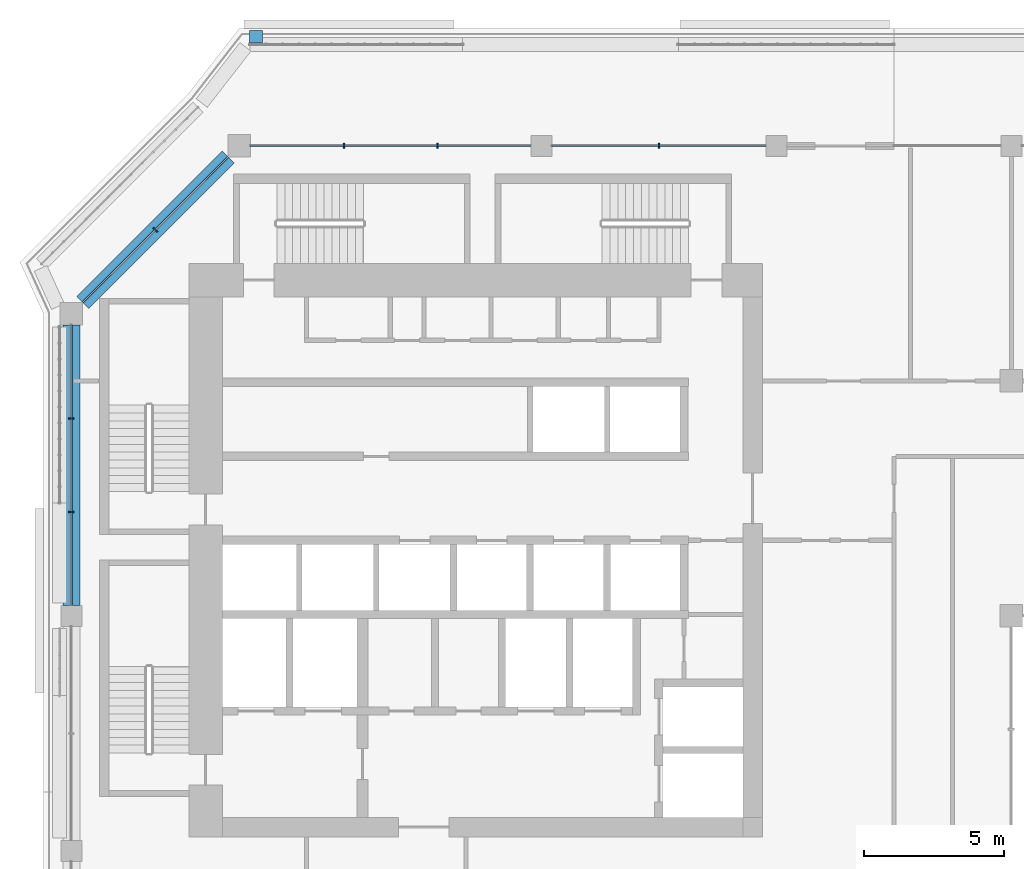
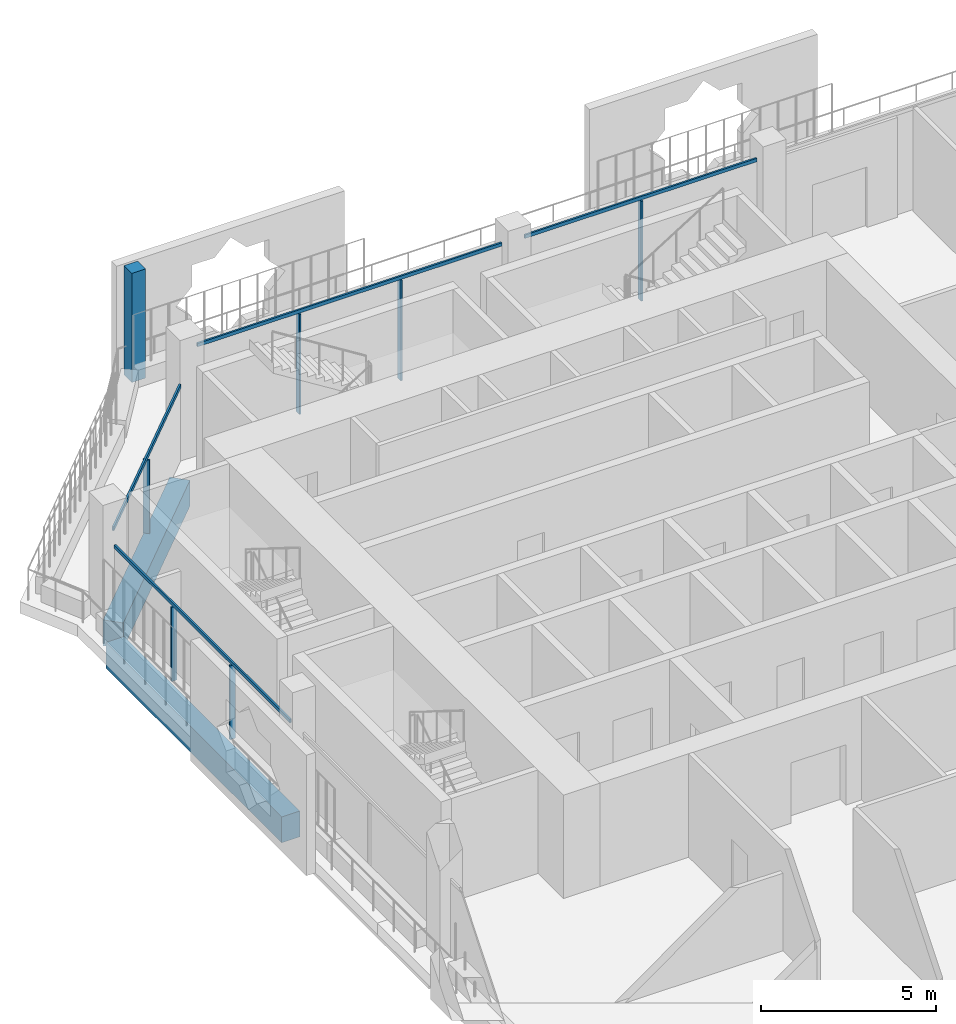
# One storey, part 6 of 23: 11 members, 2 beams, 4 elements without a shape of their own.
"""IFC4 building model written with IfcOpenShell, lengths in metres."""

from ifc_helpers import new_model, si_unit, direction, frame, origin, origin_2d, place, context, subcontext, project, spatial, rectangle, extrude, material, layer, layer_set, material_profile, profile_set, type_object, element, aggregate, save


model = new_model("IFC4")

# Units and contexts
model_context = context("Model", 3, precision=1e-05, world=origin(), true_north=direction((0.0, 1.0)))
body_context = subcontext(model_context, "Body", "Model", "MODEL_VIEW")
ifc_project = project(units=[si_unit("LENGTHUNIT", "METRE"), si_unit("AREAUNIT", "SQUARE_METRE"), si_unit("VOLUMEUNIT", "CUBIC_METRE"), si_unit("PLANEANGLEUNIT", "RADIAN"), si_unit("MASSUNIT", "GRAM", prefix="KILO")], contexts=[model_context])

# Site, building, storey
site_placement = place(None, origin())
site = spatial("IfcSite", under=ifc_project, at=site_placement, CompositionType="ELEMENT")
building_placement = place(site_placement, origin())
building = spatial("IfcBuilding", under=site, at=building_placement, Name="Kawkab Arch Medical Tower", CompositionType="ELEMENT")
storey_placement = place(building_placement, frame((0.0, 0.0, 281.800048828125)))
storey = spatial("IfcBuildingStorey", under=building, at=storey_placement, Name="L65", CompositionType="ELEMENT", Elevation=281.800048828125)

# Curtain wall, members
ifc_material_1 = material(Name="Bronze anodised aluminium curtain wall frame", Category="aluminium")
ifc_layer_1 = layer(ifc_material_1, 0.159912109375)
ifc_layer_set_1 = layer_set([ifc_layer_1], Name="Bronze anodised aluminium curtain wall frame")
curtain_wall_type_1 = type_object("IfcCurtainWallType", Name="CW1 ward curtain wall", PredefinedType="NOTDEFINED", material=ifc_layer_set_1)
placement = place(storey_placement, origin())
curtain_wall_1 = element("IfcCurtainWall", 1, at=placement, inside=storey, type_object=curtain_wall_type_1, Name="CW1 Ward curtain wall R10", PredefinedType="NOTDEFINED")
ifc_material_2 = material(Name="Bronze anodised aluminium curtain wall frame", Category="aluminium")
ifc_material_profile_1 = material_profile(ifc_material_2, rectangle(XDim=0.179931640625, YDim=0.06005859375, at=origin_2d()), Name="AL 60x180")
ifc_profile_set_1 = profile_set([ifc_material_profile_1], Name="Bronze anodised aluminium curtain wall frame")
member_type_1 = type_object("IfcMemberType", Name="CW1 mullion 60 x 180", PredefinedType="MULLION", material=ifc_profile_set_1)
member_1_placement = place(storey_placement, frame((21.0, 0.0, 0.0), z_axis=(0.0, 0.0, 1.0), x_axis=(0.0, -1.0, 0.0)))
member_1 = element("IfcMember", 2, at=member_1_placement, type_object=member_type_1, Name="CW1 mullion 4.1", PredefinedType="MULLION", context=body_context, shape_type="SweptSolid", body=[
    extrude(rectangle(XDim=0.179931640625, YDim=0.06005859375, at=origin_2d()), origin(), (0.0, 0.0, 1.0), 3.47998046875),
])
member_2_placement = place(storey_placement, frame((13.083251953125, 0.0, 0.0), z_axis=(0.0, 0.0, 1.0), x_axis=(0.0, -1.0, 0.0)))
member_2 = element("IfcMember", 3, at=member_2_placement, type_object=member_type_1, Name="CW1 mullion 5.1", PredefinedType="MULLION", context=body_context, shape_type="SweptSolid", body=[
    extrude(rectangle(XDim=0.179931640625, YDim=0.06005859375, at=origin_2d()), origin(), (0.0, 0.0, 1.0), 3.47998046875),
])
member_3_placement = place(storey_placement, frame((9.74169921875, 0.0, 0.0), z_axis=(0.0, 0.0, 1.0), x_axis=(0.0, -1.0, 0.0)))
member_3 = element("IfcMember", 4, at=member_3_placement, type_object=member_type_1, Name="CW1 mullion 5.2", PredefinedType="MULLION", context=body_context, shape_type="SweptSolid", body=[
    extrude(rectangle(XDim=0.179931640625, YDim=0.06005859375, at=origin_2d()), origin(), (0.0, 0.0, 1.0), 3.47998046875),
])

curtain_wall_2 = element("IfcCurtainWall", 5, at=placement, inside=storey, type_object=curtain_wall_type_1, Name="CW1 Ward curtain wall R12", PredefinedType="NOTDEFINED")
member_4_placement = place(storey_placement, frame((0.0, -9.74169921875, 0.0), z_axis=(0.0, 0.0, 1.0), x_axis=(1.0, 0.0, 0.0)))
member_4 = element("IfcMember", 6, at=member_4_placement, type_object=member_type_1, Name="CW1 mullion 1.1", PredefinedType="MULLION", context=body_context, shape_type="SweptSolid", body=[
    extrude(rectangle(XDim=0.179931640625, YDim=0.06005859375, at=origin_2d()), origin(), (0.0, 0.0, 1.0), 2.579833984375),
])
member_5_placement = place(storey_placement, frame((0.0, -13.083251953125, 0.0), z_axis=(0.0, 0.0, 1.0), x_axis=(1.0, 0.0, 0.0)))
member_5 = element("IfcMember", 7, at=member_5_placement, type_object=member_type_1, Name="CW1 mullion 1.2", PredefinedType="MULLION", context=body_context, shape_type="SweptSolid", body=[
    extrude(rectangle(XDim=0.179931640625, YDim=0.06005859375, at=origin_2d()), origin(), (0.0, 0.0, 1.0), 2.579833984375),
])

# Member
ifc_material_3 = material(Name="Bronze anodised aluminium curtain wall frame", Category="aluminium")
ifc_material_profile_2 = material_profile(ifc_material_3, rectangle(XDim=0.06005859375, YDim=0.1201171875, at=origin_2d()), Name="AL 60x120")
ifc_profile_set_2 = profile_set([ifc_material_profile_2], Name="Bronze anodised aluminium curtain wall frame")
member_type_2 = type_object("IfcMemberType", Name="CW1 transom 120 x 60", PredefinedType="USERDEFINED", material=ifc_profile_set_2)
member_6_placement = place(storey_placement, frame((24.824951171875, 0.0, 3.5400390625), z_axis=(-1.0, 0.0, 0.0), x_axis=(0.0, -1.0, 0.0)))
member_6 = element("IfcMember", 8, at=member_6_placement, type_object=member_type_2, Name="CW1 transom 4", ObjectType="TRANSOM", PredefinedType="USERDEFINED", context=body_context, shape_type="SweptSolid", body=[
    extrude(rectangle(XDim=0.06005859375, YDim=0.1201171875, at=origin_2d()), origin(), (0.0, 0.0, 1.0), 7.64990234375),
])

member_7_placement = place(storey_placement, frame((16.425048828125, 0.0, 3.5400390625), z_axis=(-1.0, 0.0, 0.0), x_axis=(0.0, -1.0, 0.0)))
member_7 = element("IfcMember", 9, at=member_7_placement, type_object=member_type_2, Name="CW1 transom 5", ObjectType="TRANSOM", PredefinedType="USERDEFINED", context=body_context, shape_type="SweptSolid", body=[
    extrude(rectangle(XDim=0.06005859375, YDim=0.1201171875, at=origin_2d()), origin(), (0.0, 0.0, 1.0), 10.025146484375),
])

aggregate(curtain_wall_1, [member_6, member_1, member_7, member_2, member_3])

member_8_placement = place(storey_placement, frame((0.0, -6.39990234375, 2.639892578125), z_axis=(0.0, -1.0, 0.0), x_axis=(1.0, 0.0, 0.0)))
member_8 = element("IfcMember", 10, at=member_8_placement, type_object=member_type_2, Name="CW1 transom 1", ObjectType="TRANSOM", PredefinedType="USERDEFINED", context=body_context, shape_type="SweptSolid", body=[
    extrude(rectangle(XDim=0.06005859375, YDim=0.1201171875, at=origin_2d()), origin(), (0.0, 0.0, 1.0), 10.025146484375),
])

aggregate(curtain_wall_2, [member_8, member_4, member_5])

# Curtain wall, members
ifc_material_4 = material(Name="Bronze anodised aluminium curtain wall frame", Category="aluminium")
ifc_layer_2 = layer(ifc_material_4, 0.159912109375)
ifc_layer_set_2 = layer_set([ifc_layer_2], Name="Bronze anodised aluminium curtain wall frame")
curtain_wall_type_2 = type_object("IfcCurtainWallType", Name="CW2 chamfer curtain wall", PredefinedType="NOTDEFINED", material=ifc_layer_set_2)
curtain_wall_3 = element("IfcCurtainWall", 11, at=placement, inside=storey, type_object=curtain_wall_type_2, Name="CW2 Chamfer curtain wall R11", PredefinedType="NOTDEFINED")
ifc_material_5 = material(Name="Bronze anodised aluminium curtain wall frame", Category="aluminium")
ifc_material_profile_3 = material_profile(ifc_material_5, rectangle(XDim=0.199951171875, YDim=0.06005859375, at=origin_2d()), Name="AL 60x200")
ifc_profile_set_3 = profile_set([ifc_material_profile_3], Name="Bronze anodised aluminium curtain wall frame")
member_type_3 = type_object("IfcMemberType", Name="CW2 mullion 60 x 200", PredefinedType="MULLION", material=ifc_profile_set_3)
member_9_placement = place(storey_placement, frame((3.0, -3.0, 0.0), z_axis=(0.0, 0.0, 1.0), x_axis=(0.707106781187, -0.707106781187, 0.0)))
member_9 = element("IfcMember", 12, at=member_9_placement, type_object=member_type_3, Name="CW2 mullion 1.1", PredefinedType="MULLION", context=body_context, shape_type="SweptSolid", body=[
    extrude(rectangle(XDim=0.199951171875, YDim=0.06005859375, at=origin_2d()), origin(), (0.0, 0.0, 1.0), 2.56005859375),
])
ifc_material_6 = material(Name="Bronze anodised aluminium curtain wall frame", Category="aluminium")
ifc_material_profile_4 = material_profile(ifc_material_6, rectangle(XDim=0.06005859375, YDim=0.139892578125, at=origin_2d()), Name="AL 60x140")
ifc_profile_set_4 = profile_set([ifc_material_profile_4], Name="Bronze anodised aluminium curtain wall frame")
member_type_4 = type_object("IfcMemberType", Name="CW2 transom 140 x 60", PredefinedType="USERDEFINED", material=ifc_profile_set_4)
member_10_placement = place(storey_placement, frame((5.60009765625, -0.39990234375, 2.6298828125), z_axis=(-0.707106781187, -0.707106781187, 0.0), x_axis=(0.707106781187, -0.707106781187, 0.0)))
member_10 = element("IfcMember", 13, at=member_10_placement, type_object=member_type_4, Name="CW2 transom 1", ObjectType="TRANSOM", PredefinedType="USERDEFINED", context=body_context, shape_type="SweptSolid", body=[
    extrude(rectangle(XDim=0.06005859375, YDim=0.139892578125, at=origin_2d()), origin(), (0.0, 0.0, 1.0), 7.354248046875),
])
aggregate(curtain_wall_3, [member_10, member_9])

# Curtain wall, member
ifc_material_7 = material(Name="Bronze anodised aluminium climber frame, planted", Category="aluminium")
ifc_layer_3 = layer(ifc_material_7, 0.449951171875)
ifc_layer_set_3 = layer_set([ifc_layer_3], Name="Bronze anodised aluminium climber frame, planted")
curtain_wall_type_3 = type_object("IfcCurtainWallType", Name="Planted climber frame", PredefinedType="NOTDEFINED", material=ifc_layer_set_3)
curtain_wall_4 = element("IfcCurtainWall", 14, at=placement, inside=storey, type_object=curtain_wall_type_3, Name="Planted climber frame L65", PredefinedType="NOTDEFINED")
ifc_material_8 = material(Name="Bronze anodised aluminium climber frame, planted", Category="aluminium")
ifc_material_profile_5 = material_profile(ifc_material_8, rectangle(XDim=0.449951171875, YDim=0.449951171875, at=origin_2d()), Name="Post 450x450")
ifc_profile_set_5 = profile_set([ifc_material_profile_5], Name="Bronze anodised aluminium climber frame, planted")
member_type_5 = type_object("IfcMemberType", Name="Planted climber post 450 x 450", PredefinedType="MULLION", material=ifc_profile_set_5)
member_11_placement = place(storey_placement, frame((6.596923828125, 3.89990234375, 0.0), z_axis=(0.0, 0.0, 1.0), x_axis=(1.0, 0.0, 0.0)))
member_11 = element("IfcMember", 15, at=member_11_placement, type_object=member_type_5, Name="Planted climber post L65.LOG-01-02.1", PredefinedType="MULLION", context=body_context, shape_type="SweptSolid", body=[
    extrude(rectangle(XDim=0.449951171875, YDim=0.449951171875, at=origin_2d()), origin(), (0.0, 0.0, 1.0), 3.800048828125),
])
aggregate(curtain_wall_4, [member_11])

# Beams
ifc_material_9 = material(Name="Concrete C40/50", Category="concrete")
ifc_material_profile_6 = material_profile(ifc_material_9, rectangle(XDim=0.60009765625, YDim=0.89990234375, at=origin_2d()), Name="RC 600x900")
ifc_profile_set_6 = profile_set([ifc_material_profile_6], Name="Concrete C40/50")
beam_type = type_object("IfcBeamType", Name="RC 600x900 beam C40/50", PredefinedType="BEAM", material=ifc_profile_set_6)
beam_1_placement = place(storey_placement, frame((0.39990234375, -5.60009765625, -1.050048828125), z_axis=(0.707106781187, 0.707106781187, 0.0), x_axis=(-0.707106781187, 0.707106781187, 0.0)))
element("IfcBeam", 16, at=beam_1_placement, inside=storey, type_object=beam_type, Name="Overhang edge beam L65-01", PredefinedType="BEAM", context=body_context, shape_type="SweptSolid", body=[
    extrude(rectangle(XDim=0.60009765625, YDim=0.89990234375, at=origin_2d()), origin(), (0.0, 0.0, 1.0), 7.354248046875),
])
beam_2_placement = place(storey_placement, frame((0.0, -16.425048828125, -1.050048828125), z_axis=(0.0, 1.0, 0.0), x_axis=(-1.0, 0.0, 0.0)))
element("IfcBeam", 17, at=beam_2_placement, inside=storey, type_object=beam_type, Name="Overhang edge beam L65-06", PredefinedType="BEAM", context=body_context, shape_type="SweptSolid", body=[
    extrude(rectangle(XDim=0.60009765625, YDim=0.89990234375, at=origin_2d()), origin(), (0.0, 0.0, 1.0), 10.025146484375),
])

save(model, "model.ifc")
